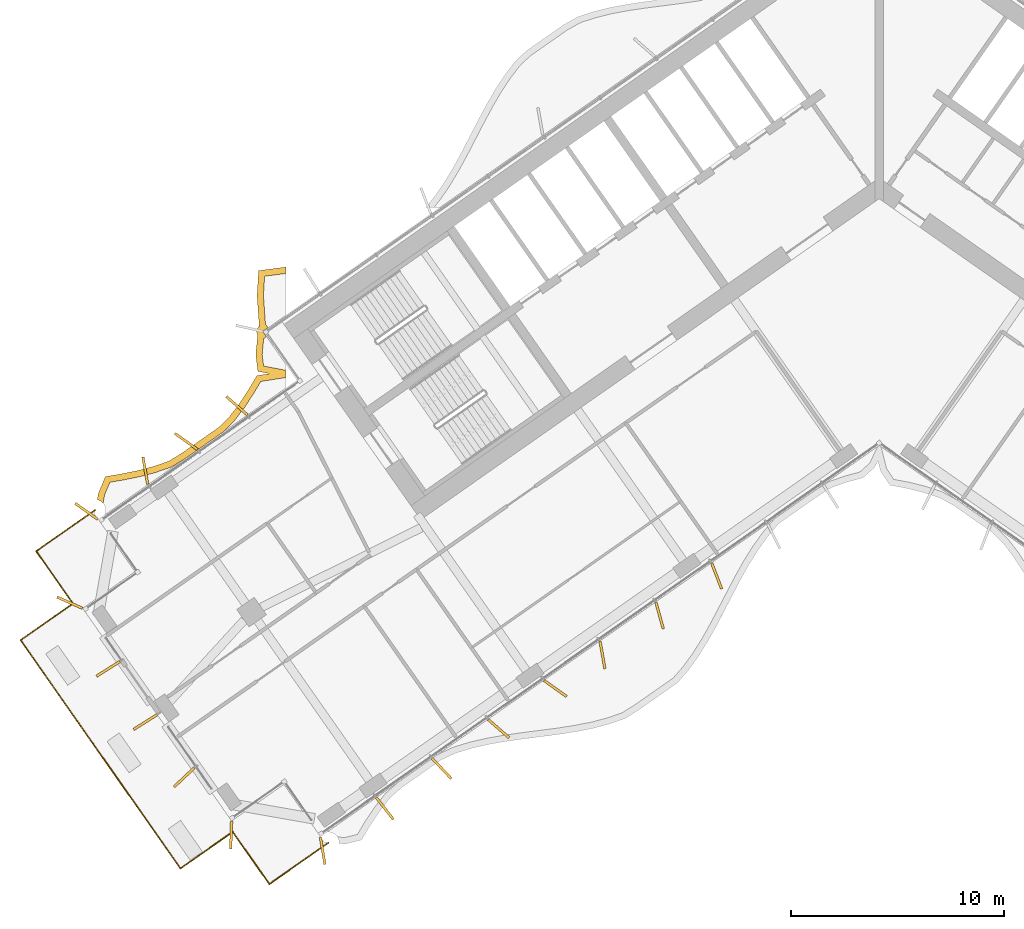
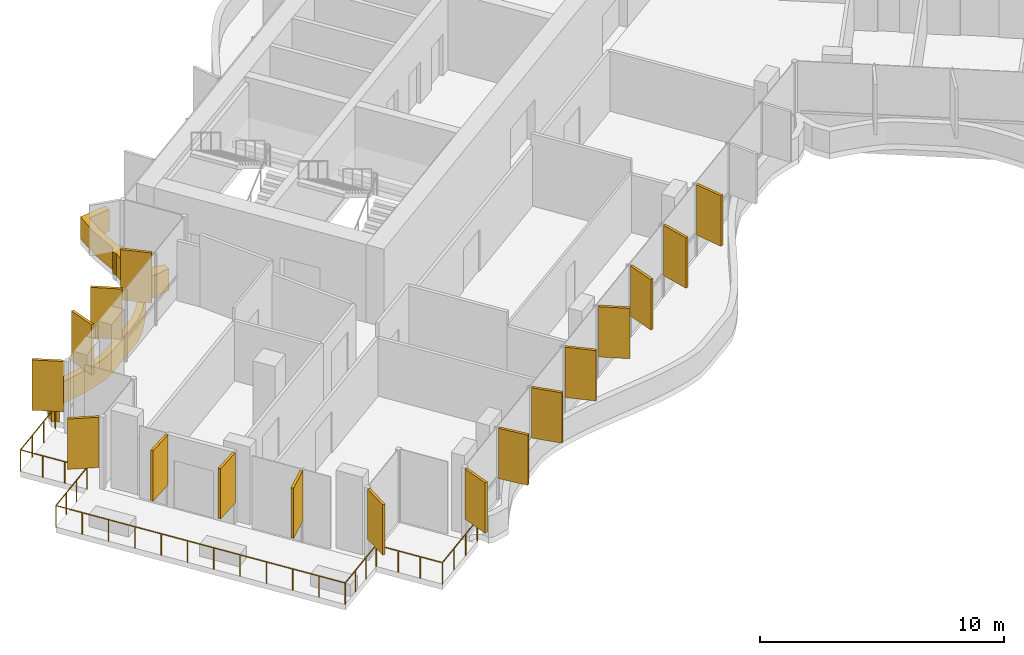
# One storey, part 19 of 24: 18 shading devices, 1 railing.
"""IFC4 building model written with IfcOpenShell, lengths in metres."""

from ifc_helpers import new_model, si_unit, direction, frame, origin, origin_2d, place, context, subcontext, project, spatial, polyline, rectangle, circle, outline, extrude, material, layer, layer_set, type_object, element, save


model = new_model("IFC4")

# Units and contexts
model_context = context("Model", 3, precision=1e-05, world=origin(), true_north=direction((0.0, 1.0)))
body_context = subcontext(model_context, "Body", "Model", "MODEL_VIEW")
ifc_project = project(units=[si_unit("LENGTHUNIT", "METRE"), si_unit("AREAUNIT", "SQUARE_METRE"), si_unit("VOLUMEUNIT", "CUBIC_METRE"), si_unit("PLANEANGLEUNIT", "RADIAN"), si_unit("MASSUNIT", "GRAM", prefix="KILO")], contexts=[model_context])

# Site, building, storey
site_placement = place(None, origin())
site = spatial("IfcSite", under=ifc_project, at=site_placement, CompositionType="ELEMENT")
building_placement = place(site_placement, origin())
building = spatial("IfcBuilding", under=site, at=building_placement, Name="Tel Ilan Convention Tower", CompositionType="ELEMENT")
storey_placement = place(building_placement, frame((0.0, 0.0, 167.10009765625)))
storey = spatial("IfcBuildingStorey", under=building, at=storey_placement, Name="L38", CompositionType="ELEMENT", Elevation=167.10009765625)

# Shading devices
ifc_material_1 = material(Name="Aluminium, bronze anodised", Category="aluminium")
ifc_layer_1 = layer(ifc_material_1, 0.1201171875)
ifc_layer_set_1 = layer_set([ifc_layer_1], Name="FIN BRONZE 1300x120")
shading_device_type_1 = type_object("IfcShadingDeviceType", Name="FIN BRONZE 1300x120", PredefinedType="USERDEFINED", material=ifc_layer_set_1)
for number, where, z_axis, x_axis, name in (
    (1, (-30.18505859375, -10.948486328125, 1.099853515625), (0.0, 0.0, 1.0), (-0.753435896329, 0.657521368568, 0.0), "FIN"),
    (2, (-32.56201171875, -12.628173828125, 1.099853515625), (0.0, 0.0, 1.0), (-0.813552070258, 0.581492071294, 0.0), "FIN"),
    (3, (-34.483642578125, -13.996337890625, 1.099853515625), (0.0, 0.0, 1.0), (-0.173648177667, 0.984807753012, 0.0), "FIN"),
    (4, (-37.248046875, -15.914306640625, 1.099853515625), (0.0, 0.0, 1.0), (-0.819152044289, 0.573576436351, 0.0), "FIN"),
    (5, (-38.035888671875, -20.2041015625, 1.099853515625), (0.0, 0.0, 1.0), (-0.914332505315, 0.404964282034, 0.0), "FIN"),
    (6, (-36.230224609375, -23.31591796875, 1.099853515625), (0.0, 0.0, 1.0), (-0.845986425922, -0.533204432798, 0.0), "FIN"),
    (7, (-34.48095703125, -25.814453125, 1.099853515625), (0.0, 0.0, 1.0), (-0.845986425922, -0.533204432798, 0.0), "FIN"),
    (8, (-32.6591796875, -28.41552734375, 1.099853515625), (0.0, 0.0, 1.0), (-0.727373641577, -0.686241637865, 0.0), "FIN"),
    (9, (-30.450439453125, -31.12109375, 1.099853515625), (0.0, 0.0, 1.0), (-0.029084718749, -0.999576950082, 0.0), "FIN"),
    (10, (-26.148681640625, -31.8603515625, 1.099853515625), (0.0, 0.0, 1.0), (0.16409119891, -0.986445172547, 0.0), "FIN"),
    (11, (-23.227294921875, -29.87744140625, 1.099853515625), (0.0, 0.0, 1.0), (0.612600545196, -0.790392669516, 0.0), "FIN"),
    (12, (-20.55078125, -28.003173828125, 1.099853515625), (0.0, 0.0, 1.0), (0.686241637865, -0.727373641577, 0.0), "FIN"),
    (13, (-17.878662109375, -26.124267578125, 1.099853515625), (0.0, 0.0, 1.0), (0.753435896329, -0.657521368568, 0.0), "FIN"),
    (14, (-15.211181640625, -24.2412109375, 1.099853515625), (0.0, 0.0, 1.0), (0.813552070258, -0.581492071294, 0.0), "FIN"),
    (15, (-12.998779296875, -22.669677734375, 1.099853515625), (0.0, 0.0, 1.0), (0.173648177667, -0.984807753012, 0.0), "FIN"),
    (16, (-10.3154296875, -20.81298828125, 1.099853515625), (0.0, 0.0, 1.0), (0.268172612768, -0.963370878614, 0.0), "FIN"),
    (17, (-7.633544921875, -18.950439453125, 1.099853515625), (0.0, 0.0, 1.0), (0.360177724803, -0.932883704733, 0.0), "FIN"),
):
    element("IfcShadingDevice", number, at=place(storey_placement, frame(where, z_axis=z_axis, x_axis=x_axis)), inside=storey, type_object=shading_device_type_1, Name=name, ObjectType="FIN", PredefinedType="USERDEFINED", context=body_context, shape_type="SweptSolid", body=[
        extrude(rectangle(XDim=1.300048828125, YDim=0.1201171875, at=origin_2d()), origin(), (0.0, 0.0, 1.0), 2.52001953125),
    ])
ifc_material_2 = material(Name="Aluminium, bronze anodised", Category="aluminium")
ifc_layer_2 = layer(ifc_material_2, 0.300048828125)
ifc_layer_set_2 = layer_set([ifc_layer_2], Name="LOUVRE BAND 300x1100")
shading_device_type_2 = type_object("IfcShadingDeviceType", Name="LOUVRE BAND 300x1100", PredefinedType="USERDEFINED", material=ifc_layer_set_2)
shading_device_placement = place(storey_placement, origin())
element("IfcShadingDevice", 18, at=shading_device_placement, inside=storey, type_object=shading_device_type_2, Name="LOUVRE BAND 30.03", ObjectType="LOUVRE", PredefinedType="USERDEFINED", context=body_context, shape_type="SweptSolid", body=[
    extrude(outline(polyline([(-36.466796875, -15.5302734375), (-36.3974609375, -15.14111328125), (-36.1474609375, -14.54833984375), (-35.52734375, -14.443603515625), (-34.751953125, -14.28662109375), (-33.998779296875, -14.0869140625), (-33.2587890625, -13.8291015625), (-32.613525390625, -13.436279296875), (-30.8330078125, -12.189697265625), (-30.288818359375, -11.64453125), (-29.81787109375, -11.02392578125), (-29.38818359375, -10.3681640625), (-29.05712890625, -9.8115234375), (-27.874755859375, -9.6240234375), (-27.874755859375, -9.287353515625), (-28.923828125, -9.080322265625), (-28.992431640625, -8.5439453125), (-28.91943359375, -7.797607421875), (-28.787353515625, -7.705322265625), (-28.958740234375, -7.458984375), (-28.713134765625, -7.286865234375), (-28.83740234375, -7.109375), (-28.93115234375, -5.783447265625), (-28.876953125, -4.86572265625), (-27.874755859375, -4.735107421875), (-27.874755859375, -4.4326171875), (-29.161865234375, -4.60107421875), (-29.231689453125, -5.78515625), (-29.127685546875, -7.218017578125), (-29.1708984375, -7.246826171875), (-29.236083984375, -7.34423828125), (-29.2587890625, -7.458984375), (-29.236083984375, -7.57373046875), (-29.199951171875, -7.6279296875), (-29.29443359375, -8.548583984375), (-29.19384765625, -9.332763671875), (-28.64111328125, -9.44189453125), (-29.2431640625, -9.537353515625), (-29.642578125, -10.209228515625), (-30.06298828125, -10.850830078125), (-30.515380859375, -11.447021484375), (-31.02685546875, -11.958984375), (-32.777587890625, -13.18505859375), (-33.387451171875, -13.55615234375), (-34.086669921875, -13.7998046875), (-34.8203125, -13.994384765625), (-35.58203125, -14.148681640625), (-36.35986328125, -14.280029296875), (-36.686767578125, -15.055419921875), (-36.741943359375, -15.364990234375), (-36.66796875, -15.38671875), (-36.58056640625, -15.43115234375), (-36.50341796875, -15.491455078125), (-36.466796875, -15.5302734375)])), origin(), (0.0, 0.0, 1.0), 1.099853515625),
])

# Railing
ifc_material_3 = material(Name="Stainless steel S316", Category="steel")
railing_type = type_object("IfcRailingType", Name="TERRACE GUARD 1100", PredefinedType="GUARDRAIL", material=ifc_material_3)
railing_placement = place(storey_placement, frame((-25.877685546875, -31.4873046875, 0.0)))
element("IfcRailing", 19, at=railing_placement, inside=storey, type_object=railing_type, Name="Terrace guard 30.01", PredefinedType="GUARDRAIL", context=body_context, shape_type="SweptSolid", body=[
    extrude(circle(Radius=0.02490234375, at=origin_2d()), frame((0.0, 0.0, 1.0751953125), z_axis=(-0.819187958054, -0.573525142762, 0.0), x_axis=(0.573525142762, -0.819187958054, 0.0)), (0.0, 0.0, 1.0), 3.391845703125),
    extrude(circle(Radius=0.02490234375, at=origin_2d()), frame((-2.778564453125, -1.9453125, 1.0751953125), z_axis=(-0.573598887793, 0.819136323161, 0.0), x_axis=(-0.819136323161, -0.573598887793, 0.0)), (0.0, 0.0, 1.0), 2.999755859375),
    extrude(circle(Radius=0.02490234375, at=origin_2d()), frame((-4.499267578125, 0.511962890625, 1.0751953125), z_axis=(-0.819163097304, -0.573560650686, 0.0), x_axis=(0.573560650686, -0.819163097304, 0.0)), (0.0, 0.0, 1.0), 3.0),
    extrude(circle(Radius=0.02490234375, at=origin_2d()), frame((-6.956787109375, -1.208740234375, 1.0751953125), z_axis=(-0.573564904585, 0.819160118798, 0.0), x_axis=(-0.819160118798, -0.573564904585, 0.0)), (0.0, 0.0, 1.0), 13.099853515625),
    extrude(circle(Radius=0.02490234375, at=origin_2d()), frame((-14.470458984375, 9.522216796875, 1.0751953125), z_axis=(0.819136323161, 0.573598887793, 0.0), x_axis=(-0.573598887793, 0.819136323161, 0.0)), (0.0, 0.0, 1.0), 2.999755859375),
    extrude(circle(Radius=0.02490234375, at=origin_2d()), frame((-12.01318359375, 11.242919921875, 1.0751953125), z_axis=(-0.573560650686, 0.819163097304, 0.0), x_axis=(-0.819163097304, -0.573560650686, 0.0)), (0.0, 0.0, 1.0), 3.0),
    extrude(circle(Radius=0.02490234375, at=origin_2d()), frame((-13.73388671875, 13.700439453125, 1.0751953125), z_axis=(0.819180898706, 0.573535225767, 0.0), x_axis=(-0.573535225767, 0.819180898706, 0.0)), (0.0, 0.0, 1.0), 3.372314453125),
    extrude(circle(Radius=0.02490234375, at=origin_2d()), origin(), (0.0, 0.0, 1.0), 1.050048828125),
    extrude(circle(Radius=0.02490234375, at=origin_2d()), frame((-0.92626953125, -0.6484375, 0.0)), (0.0, 0.0, 1.0), 1.050048828125),
    extrude(circle(Radius=0.02490234375, at=origin_2d()), frame((-1.852294921875, -1.296875, 0.0)), (0.0, 0.0, 1.0), 1.050048828125),
    extrude(circle(Radius=0.02490234375, at=origin_2d()), frame((-2.778564453125, -1.9453125, 0.0)), (0.0, 0.0, 1.0), 1.050048828125),
    extrude(circle(Radius=0.02490234375, at=origin_2d()), frame((-3.35205078125, -1.126220703125, 0.0)), (0.0, 0.0, 1.0), 1.050048828125),
    extrude(circle(Radius=0.02490234375, at=origin_2d()), frame((-3.92578125, -0.30712890625, 0.0)), (0.0, 0.0, 1.0), 1.050048828125),
    extrude(circle(Radius=0.02490234375, at=origin_2d()), frame((-4.499267578125, 0.511962890625, 0.0)), (0.0, 0.0, 1.0), 1.050048828125),
    extrude(circle(Radius=0.02490234375, at=origin_2d()), frame((-5.318359375, -0.0615234375, 0.0)), (0.0, 0.0, 1.0), 1.050048828125),
    extrude(circle(Radius=0.02490234375, at=origin_2d()), frame((-6.1376953125, -0.63525390625, 0.0)), (0.0, 0.0, 1.0), 1.050048828125),
    extrude(circle(Radius=0.02490234375, at=origin_2d()), frame((-6.956787109375, -1.208740234375, 0.0)), (0.0, 0.0, 1.0), 1.050048828125),
    extrude(circle(Radius=0.02490234375, at=origin_2d()), frame((-7.639892578125, -0.233154296875, 0.0)), (0.0, 0.0, 1.0), 1.050048828125),
    extrude(circle(Radius=0.02490234375, at=origin_2d()), frame((-8.322998046875, 0.742431640625, 0.0)), (0.0, 0.0, 1.0), 1.050048828125),
    extrude(circle(Radius=0.02490234375, at=origin_2d()), frame((-9.005859375, 1.7177734375, 0.0)), (0.0, 0.0, 1.0), 1.050048828125),
    extrude(circle(Radius=0.02490234375, at=origin_2d()), frame((-9.68896484375, 2.693359375, 0.0)), (0.0, 0.0, 1.0), 1.050048828125),
    extrude(circle(Radius=0.02490234375, at=origin_2d()), frame((-10.3720703125, 3.6689453125, 0.0)), (0.0, 0.0, 1.0), 1.050048828125),
    extrude(circle(Radius=0.02490234375, at=origin_2d()), frame((-11.05517578125, 4.64453125, 0.0)), (0.0, 0.0, 1.0), 1.050048828125),
    extrude(circle(Radius=0.02490234375, at=origin_2d()), frame((-11.73828125, 5.6201171875, 0.0)), (0.0, 0.0, 1.0), 1.050048828125),
    extrude(circle(Radius=0.02490234375, at=origin_2d()), frame((-12.42138671875, 6.595703125, 0.0)), (0.0, 0.0, 1.0), 1.050048828125),
    extrude(circle(Radius=0.02490234375, at=origin_2d()), frame((-13.104248046875, 7.571044921875, 0.0)), (0.0, 0.0, 1.0), 1.050048828125),
    extrude(circle(Radius=0.02490234375, at=origin_2d()), frame((-13.787353515625, 8.546630859375, 0.0)), (0.0, 0.0, 1.0), 1.050048828125),
    extrude(circle(Radius=0.02490234375, at=origin_2d()), frame((-14.470458984375, 9.522216796875, 0.0)), (0.0, 0.0, 1.0), 1.050048828125),
    extrude(circle(Radius=0.02490234375, at=origin_2d()), frame((-13.6513671875, 10.095703125, 0.0)), (0.0, 0.0, 1.0), 1.050048828125),
    extrude(circle(Radius=0.02490234375, at=origin_2d()), frame((-12.832275390625, 10.66943359375, 0.0)), (0.0, 0.0, 1.0), 1.050048828125),
    extrude(circle(Radius=0.02490234375, at=origin_2d()), frame((-12.01318359375, 11.242919921875, 0.0)), (0.0, 0.0, 1.0), 1.050048828125),
    extrude(circle(Radius=0.02490234375, at=origin_2d()), frame((-12.586669921875, 12.06201171875, 0.0)), (0.0, 0.0, 1.0), 1.050048828125),
    extrude(circle(Radius=0.02490234375, at=origin_2d()), frame((-13.160400390625, 12.88134765625, 0.0)), (0.0, 0.0, 1.0), 1.050048828125),
    extrude(circle(Radius=0.02490234375, at=origin_2d()), frame((-13.73388671875, 13.700439453125, 0.0)), (0.0, 0.0, 1.0), 1.050048828125),
    extrude(circle(Radius=0.02490234375, at=origin_2d()), frame((-12.81298828125, 14.34521484375, 0.0)), (0.0, 0.0, 1.0), 1.050048828125),
    extrude(circle(Radius=0.02490234375, at=origin_2d()), frame((-11.892333984375, 14.98974609375, 0.0)), (0.0, 0.0, 1.0), 1.050048828125),
    extrude(circle(Radius=0.02490234375, at=origin_2d()), frame((-10.971435546875, 15.634521484375, 0.0)), (0.0, 0.0, 1.0), 1.050048828125),
])

save(model, "model.ifc")
